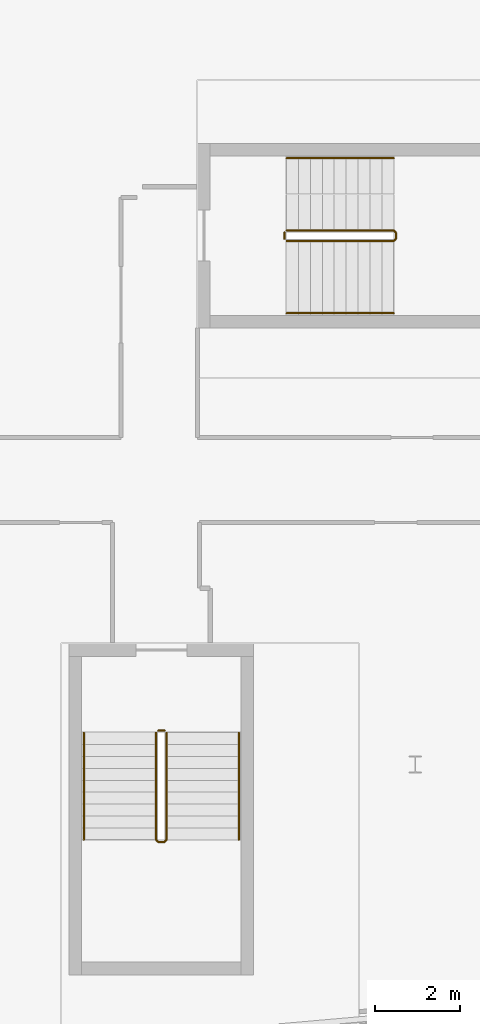
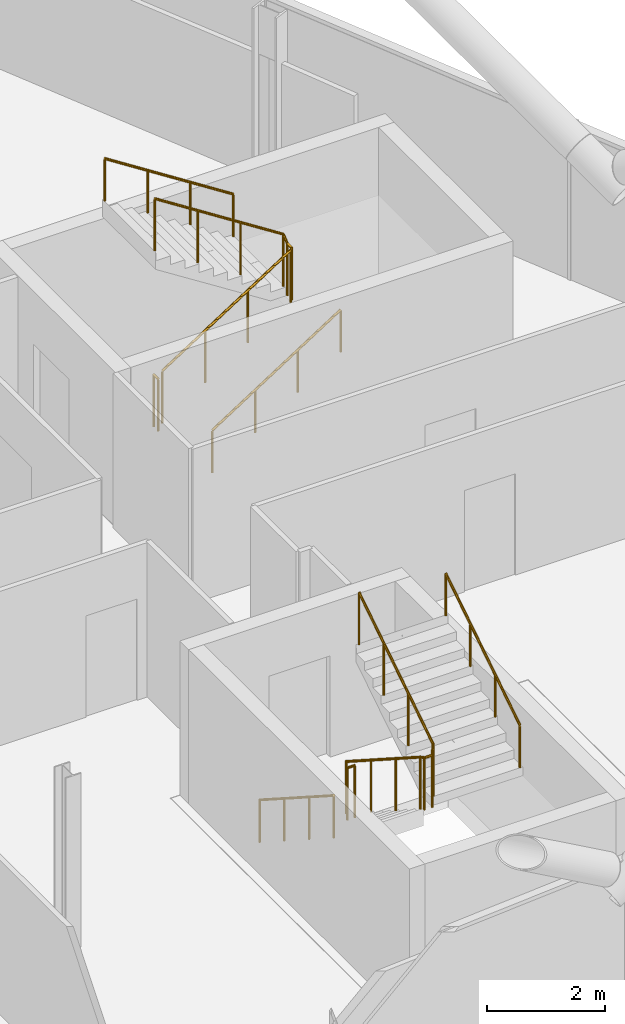
# One storey, part 26 of 27: 8 railings.
"""IFC4 building model written with IfcOpenShell, lengths in metres."""

from ifc_helpers import new_model, si_unit, direction, frame, origin, origin_2d, place, context, subcontext, project, spatial, circle, extrude, material, type_object, element, save


model = new_model("IFC4")

# Units and contexts
model_context = context("Model", 3, precision=1e-05, world=origin(), true_north=direction((0.0, 1.0)))
body_context = subcontext(model_context, "Body", "Model", "MODEL_VIEW")
ifc_project = project(units=[si_unit("LENGTHUNIT", "METRE"), si_unit("AREAUNIT", "SQUARE_METRE"), si_unit("VOLUMEUNIT", "CUBIC_METRE"), si_unit("PLANEANGLEUNIT", "RADIAN"), si_unit("MASSUNIT", "GRAM", prefix="KILO")], contexts=[model_context])

# Site, building, storey
site_placement = place(None, origin())
site = spatial("IfcSite", under=ifc_project, at=site_placement, CompositionType="ELEMENT")
building_placement = place(site_placement, origin())
building = spatial("IfcBuilding", under=site, at=building_placement, Name="Wharfspan Tower", CompositionType="ELEMENT")
storey_placement = place(building_placement, frame((0.0, 0.0, 207.100098)))
storey = spatial("IfcBuildingStorey", under=building, at=storey_placement, Name="L51", CompositionType="ELEMENT", Elevation=207.100098)

# Railings
ifc_material = material(Name="Steel S355J2", Category="steel")
railing_type_1 = type_object("IfcRailingType", Name="Stair guard 1100", PredefinedType="GUARDRAIL", material=ifc_material)
railing_1_placement = place(storey_placement, frame((65.893799, 12.246094, 0.179932)))
element("IfcRailing", 1, at=railing_1_placement, inside=storey, type_object=railing_type_1, Name="L51 ST5 stair guard 1", PredefinedType="GUARDRAIL", context=body_context, shape_type="SweptSolid", body=[
    extrude(circle(Radius=0.023926, at=origin_2d()), frame((0.0, 0.0, 1.076172), z_axis=(0.0, -0.8412, 0.540725), x_axis=(1.0, 0.0, 0.0)), (0.0, 0.0, 1.0), 2.99585),
    extrude(circle(Radius=0.023926, at=origin_2d()), frame((0.0, -2.52002, 2.695801), z_axis=(0.708834, -0.705376, 0.0), x_axis=(0.705376, 0.708834, 0.0)), (0.0, 0.0, 1.0), 0.070557),
    extrude(circle(Radius=0.023926, at=origin_2d()), frame((0.050049, -2.569824, 2.695801), z_axis=(1.0, 0.0, 0.0), x_axis=(0.0, 1.0, 0.0)), (0.0, 0.0, 1.0), 0.149902),
    extrude(circle(Radius=0.023926, at=origin_2d()), frame((0.199951, -2.569824, 2.695801), z_axis=(0.258628, 0.257366, 0.931061), x_axis=(-0.705372, 0.708838, -2e-06)), (0.0, 0.0, 1.0), 0.193604),
    extrude(circle(Radius=0.023926, at=origin_2d()), frame((0.25, -2.52002, 2.875977), z_axis=(0.0, 0.8412, 0.540725), x_axis=(-1.0, 0.0, 0.0)), (0.0, 0.0, 1.0), 2.99585),
    extrude(circle(Radius=0.020996, at=origin_2d()), origin(), (0.0, 0.0, 1.0), 1.052002),
    extrude(circle(Radius=0.020996, at=origin_2d()), frame((0.0, -0.840088, 0.540039)), (0.0, 0.0, 1.0), 1.052002),
    extrude(circle(Radius=0.020996, at=origin_2d()), frame((0.0, -1.679932, 1.079834)), (0.0, 0.0, 1.0), 1.052002),
    extrude(circle(Radius=0.020996, at=origin_2d()), frame((0.0, -2.52002, 1.619873)), (0.0, 0.0, 1.0), 1.052002),
    extrude(circle(Radius=0.020996, at=origin_2d()), frame((0.050049, -2.569824, 1.619873)), (0.0, 0.0, 1.0), 1.052002),
    extrude(circle(Radius=0.020996, at=origin_2d()), frame((0.199951, -2.569824, 1.619873)), (0.0, 0.0, 1.0), 1.052002),
    extrude(circle(Radius=0.020996, at=origin_2d()), frame((0.25, -2.52002, 1.800049)), (0.0, 0.0, 1.0), 1.052002),
    extrude(circle(Radius=0.020996, at=origin_2d()), frame((0.25, -1.679932, 2.340088)), (0.0, 0.0, 1.0), 1.052002),
    extrude(circle(Radius=0.020996, at=origin_2d()), frame((0.25, -0.840088, 2.879883)), (0.0, 0.0, 1.0), 1.052002),
    extrude(circle(Radius=0.020996, at=origin_2d()), frame((0.25, 0.0, 3.419922)), (0.0, 0.0, 1.0), 1.052002),
])
railing_2_placement = place(storey_placement, frame((65.943848, 12.296143, 0.0)))
element("IfcRailing", 2, at=railing_2_placement, inside=storey, type_object=railing_type_1, Name="L51 ST5 stair guard 2", PredefinedType="GUARDRAIL", context=body_context, shape_type="SweptSolid", body=[
    extrude(circle(Radius=0.023926, at=origin_2d()), frame((0.0, 0.0, 1.076172), z_axis=(1.0, 0.0, 0.0), x_axis=(0.0, 1.0, 0.0)), (0.0, 0.0, 1.0), 0.149902),
    extrude(circle(Radius=0.020996, at=origin_2d()), origin(), (0.0, 0.0, 1.0), 1.052002),
    extrude(circle(Radius=0.020996, at=origin_2d()), frame((0.149902, 0.0, 0.0)), (0.0, 0.0, 1.0), 1.052002),
])
railing_3_placement = place(storey_placement, frame((68.969482, 23.824951, 0.179932)))
element("IfcRailing", 3, at=railing_3_placement, inside=storey, type_object=railing_type_1, Name="L51 ST6 stair guard 1", PredefinedType="GUARDRAIL", context=body_context, shape_type="SweptSolid", body=[
    extrude(circle(Radius=0.023926, at=origin_2d()), frame((0.0, 0.0, 1.076172), z_axis=(0.8412, 0.0, 0.540725), x_axis=(0.0, 1.0, 0.0)), (0.0, 0.0, 1.0), 2.99585),
    extrude(circle(Radius=0.023926, at=origin_2d()), frame((2.52002, 0.0, 2.695801), z_axis=(0.707107, 0.707107, 0.0), x_axis=(-0.707107, 0.707107, 0.0)), (0.0, 0.0, 1.0), 0.070801),
    extrude(circle(Radius=0.023926, at=origin_2d()), frame((2.570068, 0.050049, 2.695801), z_axis=(0.0, 1.0, 0.0), x_axis=(-1.0, 0.0, 0.0)), (0.0, 0.0, 1.0), 0.149902),
    extrude(circle(Radius=0.023926, at=origin_2d()), frame((2.570068, 0.199951, 2.695801), z_axis=(-0.258544, 0.258544, 0.930758), x_axis=(-0.707107, -0.707107, 0.0)), (0.0, 0.0, 1.0), 0.193604),
    extrude(circle(Radius=0.023926, at=origin_2d()), frame((2.52002, 0.25, 2.875977), z_axis=(-0.8412, 0.0, 0.540725), x_axis=(0.0, -1.0, 0.0)), (0.0, 0.0, 1.0), 2.99585),
    extrude(circle(Radius=0.020996, at=origin_2d()), origin(), (0.0, 0.0, 1.0), 1.052002),
    extrude(circle(Radius=0.020996, at=origin_2d()), frame((0.840088, 0.0, 0.540039)), (0.0, 0.0, 1.0), 1.052002),
    extrude(circle(Radius=0.020996, at=origin_2d()), frame((1.679932, 0.0, 1.079834)), (0.0, 0.0, 1.0), 1.052002),
    extrude(circle(Radius=0.020996, at=origin_2d()), frame((2.52002, 0.0, 1.619873)), (0.0, 0.0, 1.0), 1.052002),
    extrude(circle(Radius=0.020996, at=origin_2d()), frame((2.570068, 0.050049, 1.619873)), (0.0, 0.0, 1.0), 1.052002),
    extrude(circle(Radius=0.020996, at=origin_2d()), frame((2.570068, 0.199951, 1.619873)), (0.0, 0.0, 1.0), 1.052002),
    extrude(circle(Radius=0.020996, at=origin_2d()), frame((2.52002, 0.25, 1.800049)), (0.0, 0.0, 1.0), 1.052002),
    extrude(circle(Radius=0.020996, at=origin_2d()), frame((1.679932, 0.25, 2.340088)), (0.0, 0.0, 1.0), 1.052002),
    extrude(circle(Radius=0.020996, at=origin_2d()), frame((0.840088, 0.25, 2.879883)), (0.0, 0.0, 1.0), 1.052002),
    extrude(circle(Radius=0.020996, at=origin_2d()), frame((0.0, 0.25, 3.419922)), (0.0, 0.0, 1.0), 1.052002),
])
railing_4_placement = place(storey_placement, frame((68.919678, 23.875, 0.0)))
element("IfcRailing", 4, at=railing_4_placement, inside=storey, type_object=railing_type_1, Name="L51 ST6 stair guard 2", PredefinedType="GUARDRAIL", context=body_context, shape_type="SweptSolid", body=[
    extrude(circle(Radius=0.023926, at=origin_2d()), frame((0.0, 0.0, 1.076172), z_axis=(0.0, 1.0, 0.0), x_axis=(-1.0, 0.0, 0.0)), (0.0, 0.0, 1.0), 0.149902),
    extrude(circle(Radius=0.020996, at=origin_2d()), origin(), (0.0, 0.0, 1.0), 1.052002),
    extrude(circle(Radius=0.020996, at=origin_2d()), frame((0.0, 0.149902, 0.0)), (0.0, 0.0, 1.0), 1.052002),
])
railing_type_2 = type_object("IfcRailingType", Name="Stair handrail 900", PredefinedType="HANDRAIL", material=ifc_material)
railing_5_placement = place(storey_placement, frame((64.193848, 12.246094, 0.179932)))
element("IfcRailing", 5, at=railing_5_placement, inside=storey, type_object=railing_type_2, Name="L51 ST5 stair handrail 1", PredefinedType="HANDRAIL", context=body_context, shape_type="SweptSolid", body=[
    extrude(circle(Radius=0.023926, at=origin_2d()), frame((0.0, 0.0, 0.875977), z_axis=(0.0, -0.8412, 0.540725), x_axis=(1.0, 0.0, 0.0)), (0.0, 0.0, 1.0), 2.99585),
    extrude(circle(Radius=0.020996, at=origin_2d()), origin(), (0.0, 0.0, 1.0), 0.851807),
    extrude(circle(Radius=0.020996, at=origin_2d()), frame((0.0, -0.840088, 0.540039)), (0.0, 0.0, 1.0), 0.851807),
    extrude(circle(Radius=0.020996, at=origin_2d()), frame((0.0, -1.679932, 1.079834)), (0.0, 0.0, 1.0), 0.851807),
    extrude(circle(Radius=0.020996, at=origin_2d()), frame((0.0, -2.52002, 1.619873)), (0.0, 0.0, 1.0), 0.851807),
])
railing_6_placement = place(storey_placement, frame((67.84375, 9.726074, 1.97998)))
element("IfcRailing", 6, at=railing_6_placement, inside=storey, type_object=railing_type_2, Name="L51 ST5 stair handrail 2", PredefinedType="HANDRAIL", context=body_context, shape_type="SweptSolid", body=[
    extrude(circle(Radius=0.023926, at=origin_2d()), frame((0.0, 0.0, 0.875977), z_axis=(0.0, 0.8412, 0.540725), x_axis=(-1.0, 0.0, 0.0)), (0.0, 0.0, 1.0), 2.99585),
    extrude(circle(Radius=0.020996, at=origin_2d()), origin(), (0.0, 0.0, 1.0), 0.851807),
    extrude(circle(Radius=0.020996, at=origin_2d()), frame((0.0, 0.840088, 0.540039)), (0.0, 0.0, 1.0), 0.851807),
    extrude(circle(Radius=0.020996, at=origin_2d()), frame((0.0, 1.679932, 1.079834)), (0.0, 0.0, 1.0), 0.851807),
    extrude(circle(Radius=0.020996, at=origin_2d()), frame((0.0, 2.52002, 1.619873)), (0.0, 0.0, 1.0), 0.851807),
])
railing_7_placement = place(storey_placement, frame((68.969482, 22.125, 0.179932)))
element("IfcRailing", 7, at=railing_7_placement, inside=storey, type_object=railing_type_2, Name="L51 ST6 stair handrail 1", PredefinedType="HANDRAIL", context=body_context, shape_type="SweptSolid", body=[
    extrude(circle(Radius=0.023926, at=origin_2d()), frame((0.0, 0.0, 0.875977), z_axis=(0.8412, 0.0, 0.540725), x_axis=(0.0, 1.0, 0.0)), (0.0, 0.0, 1.0), 2.99585),
    extrude(circle(Radius=0.020996, at=origin_2d()), origin(), (0.0, 0.0, 1.0), 0.851807),
    extrude(circle(Radius=0.020996, at=origin_2d()), frame((0.840088, 0.0, 0.540039)), (0.0, 0.0, 1.0), 0.851807),
    extrude(circle(Radius=0.020996, at=origin_2d()), frame((1.679932, 0.0, 1.079834)), (0.0, 0.0, 1.0), 0.851807),
    extrude(circle(Radius=0.020996, at=origin_2d()), frame((2.52002, 0.0, 1.619873)), (0.0, 0.0, 1.0), 0.851807),
])
railing_8_placement = place(storey_placement, frame((71.489502, 25.774902, 1.97998)))
element("IfcRailing", 8, at=railing_8_placement, inside=storey, type_object=railing_type_2, Name="L51 ST6 stair handrail 2", PredefinedType="HANDRAIL", context=body_context, shape_type="SweptSolid", body=[
    extrude(circle(Radius=0.023926, at=origin_2d()), frame((0.0, 0.0, 0.875977), z_axis=(-0.8412, 0.0, 0.540725), x_axis=(0.0, -1.0, 0.0)), (0.0, 0.0, 1.0), 2.99585),
    extrude(circle(Radius=0.020996, at=origin_2d()), origin(), (0.0, 0.0, 1.0), 0.851807),
    extrude(circle(Radius=0.020996, at=origin_2d()), frame((-0.840088, 0.0, 0.540039)), (0.0, 0.0, 1.0), 0.851807),
    extrude(circle(Radius=0.020996, at=origin_2d()), frame((-1.679932, 0.0, 1.079834)), (0.0, 0.0, 1.0), 0.851807),
    extrude(circle(Radius=0.020996, at=origin_2d()), frame((-2.52002, 0.0, 1.619873)), (0.0, 0.0, 1.0), 0.851807),
])

save(model, "model.ifc")
